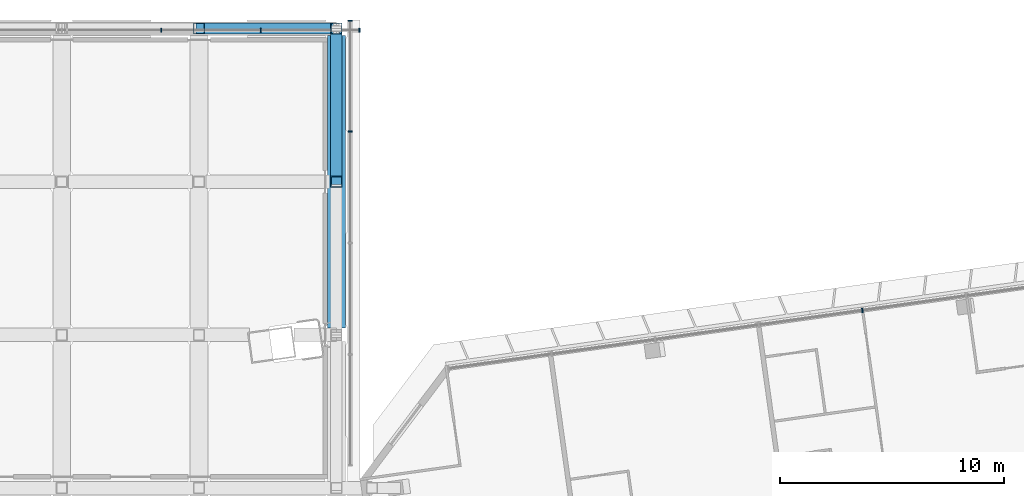
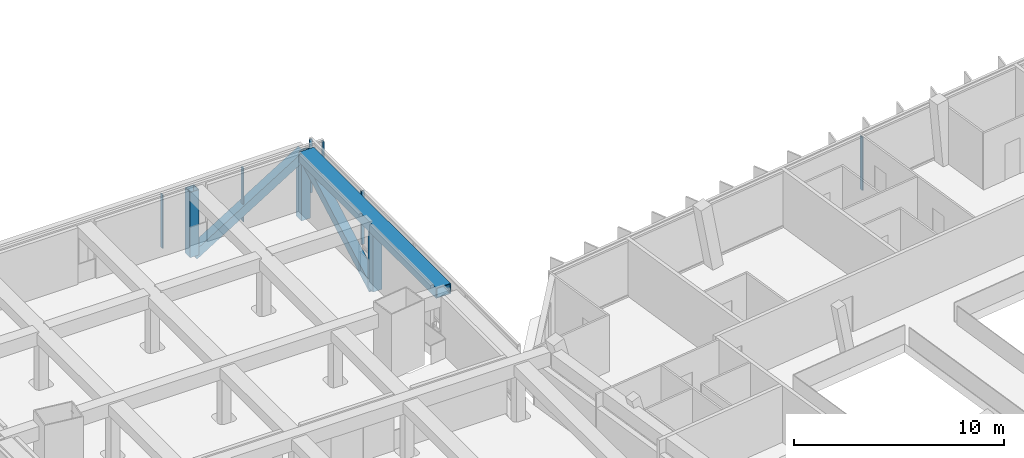
# One storey, part 11 of 28: 12 members, 3 elements without a shape of their own.
"""IFC4 building model written with IfcOpenShell, lengths in metres."""

from ifc_helpers import new_model, si_unit, direction, frame, origin, origin_2d, place, context, subcontext, project, spatial, rectangle, hollow_rectangle, extrude, material, material_profile, profile_set, type_object, element, aggregate, save


model = new_model("IFC4")

# Units and contexts
model_context = context("Model", 3, precision=1e-05, world=origin(), true_north=direction((0.0, 1.0)))
body_context = subcontext(model_context, "Body", "Model", "MODEL_VIEW")
ifc_project = project(units=[si_unit("LENGTHUNIT", "METRE"), si_unit("AREAUNIT", "SQUARE_METRE"), si_unit("VOLUMEUNIT", "CUBIC_METRE"), si_unit("PLANEANGLEUNIT", "RADIAN"), si_unit("MASSUNIT", "GRAM", prefix="KILO")], contexts=[model_context])

# Site, building, storey
site_placement = place(None, origin())
site = spatial("IfcSite", under=ifc_project, at=site_placement, CompositionType="ELEMENT")
building_placement = place(site_placement, origin())
building = spatial("IfcBuilding", under=site, at=building_placement, Name="Mirante Cascada Hotel Towers", CompositionType="ELEMENT")
storey_placement = place(building_placement, frame((0.0, 0.0, 262.2)))
storey = spatial("IfcBuildingStorey", under=building, at=storey_placement, Name="L63", CompositionType="ELEMENT", Elevation=262.2)

# Members
ifc_material_1 = material(Name="Steel ASTM A572 Gr 50", Category="steel")
ifc_material_profile_1 = material_profile(ifc_material_1, hollow_rectangle(XDim=0.6, YDim=0.8, WallThickness=0.04, at=origin_2d()), Name="Box chord 800x600x40 ASTM A572 Gr 50")
ifc_profile_set_1 = profile_set([ifc_material_profile_1], Name="Steel ASTM A572 Gr 50")
member_type_1 = type_object("IfcMemberType", Name="Box chord 800x600x40 ASTM A572 Gr 50", PredefinedType="CHORD", material=ifc_profile_set_1)
member_1_placement = place(storey_placement, frame((12.2514, 17.0475, 2.9), z_axis=(0.0, 1.0, 0.0), x_axis=(0.0, 0.0, 1.0)))
element("IfcMember", 1, at=member_1_placement, inside=storey, type_object=member_type_1, Name="dchord sky park L64 20", PredefinedType="CHORD", context=body_context, shape_type="SweptSolid", body=[
    extrude(hollow_rectangle(XDim=0.6, YDim=0.8, WallThickness=0.04, at=origin_2d()), origin(), (0.0, 0.0, 1.0), 13.0667),
])
ifc_material_2 = material(Name="Steel ASTM A572 Gr 50", Category="steel")
ifc_material_profile_2 = material_profile(ifc_material_2, hollow_rectangle(XDim=0.5, YDim=0.5, WallThickness=0.03, at=origin_2d()), Name="Box diagonal 500x500x30 ASTM A572 Gr 50")
ifc_profile_set_2 = profile_set([ifc_material_profile_2], Name="Steel ASTM A572 Gr 50")
member_type_2 = type_object("IfcMemberType", Name="Box diagonal 500x500x30 ASTM A572 Gr 50", PredefinedType="BRACE", material=ifc_profile_set_2)
member_2_placement = place(storey_placement, frame((12.2514, 23.5808, -0.9), z_axis=(0.0, 0.8739581, 0.4860012), x_axis=(-1.0, 0.0, 0.0)))
element("IfcMember", 2, at=member_2_placement, inside=storey, type_object=member_type_2, Name="ddiag sky park L63 10", PredefinedType="BRACE", context=body_context, shape_type="SweptSolid", body=[
    extrude(hollow_rectangle(XDim=0.5, YDim=0.5, WallThickness=0.03, at=origin_2d()), origin(), (0.0, 0.0, 1.0), 7.8189),
])
member_3_placement = place(storey_placement, frame((6.1257, 30.4142, -0.9), z_axis=(0.8497743, 0.0, 0.5271467), x_axis=(0.0, 1.0, 0.0)))
element("IfcMember", 3, at=member_3_placement, inside=storey, type_object=member_type_2, Name="ddiag sky park L63 14", PredefinedType="BRACE", context=body_context, shape_type="SweptSolid", body=[
    extrude(hollow_rectangle(XDim=0.5, YDim=0.5, WallThickness=0.03, at=origin_2d()), origin(), (0.0, 0.0, 1.0), 7.2086),
])
ifc_material_3 = material(Name="Steel ASTM A572 Gr 50", Category="steel")
ifc_material_profile_3 = material_profile(ifc_material_3, hollow_rectangle(XDim=0.5, YDim=0.5, WallThickness=0.03, at=origin_2d()), Name="Box post 500x500x30 ASTM A572 Gr 50")
ifc_profile_set_3 = profile_set([ifc_material_profile_3], Name="Steel ASTM A572 Gr 50")
member_type_3 = type_object("IfcMemberType", Name="Box post 500x500x30 ASTM A572 Gr 50", PredefinedType="POST", material=ifc_profile_set_3)
for number, where, z_axis, x_axis, name in (
    (4, (6.1257, 30.4142, -0.9), (0.0, 0.0, 1.0), (1.0, 0.0, 0.0), "dpost sky park L63 28"),
    (5, (12.2514, 23.5808, -0.9), (0.0, 0.0, 1.0), (1.0, 0.0, 0.0), "dpost sky park L63 34"),
    (6, (12.2514, 30.4142, -0.9), (0.0, 0.0, 1.0), (1.0, 0.0, 0.0), "dpost sky park L63 35"),
):
    element("IfcMember", number, at=place(storey_placement, frame(where, z_axis=z_axis, x_axis=x_axis)), inside=storey, type_object=member_type_3, Name=name, PredefinedType="POST", context=body_context, shape_type="SweptSolid", body=[
        extrude(hollow_rectangle(XDim=0.5, YDim=0.5, WallThickness=0.03, at=origin_2d()), origin(), (0.0, 0.0, 1.0), 3.8),
    ])

# Curtain wall, member
ifc_material_4 = material(Name="Aluminium mullion and transom frame with clear laminated glass", Category="aluminium")
curtain_wall_type_1 = type_object("IfcCurtainWallType", Name="Ribbon curtain wall ECW1", PredefinedType="NOTDEFINED", material=ifc_material_4)
curtain_wall_1_placement = place(storey_placement, origin())
curtain_wall_1 = element("IfcCurtainWall", 7, at=curtain_wall_1_placement, inside=storey, type_object=curtain_wall_type_1, Name="Front ribbon wall T2 L63", PredefinedType="NOTDEFINED")
ifc_material_5 = material(Name="Anodised aluminium extrusion", Category="aluminium")
ifc_material_profile_4 = material_profile(ifc_material_5, rectangle(XDim=0.2, YDim=0.065, at=origin_2d()), Name="ECW1 MULLION 65x200")
ifc_profile_set_4 = profile_set([ifc_material_profile_4], Name="Anodised aluminium extrusion")
member_type_4 = type_object("IfcMemberType", Name="ECW1 mullion 65x200", PredefinedType="MULLION", material=ifc_profile_set_4)
member_4_placement = place(storey_placement, frame((35.7234, 17.8396, 0.1), z_axis=(0.0, 0.0, 1.0), x_axis=(0.1391731, -0.9902681, 0.0)))
member_4 = element("IfcMember", 8, at=member_4_placement, type_object=member_type_4, Name="ECW1 mullion 4", PredefinedType="MULLION", context=body_context, shape_type="SweptSolid", body=[
    extrude(rectangle(XDim=0.2, YDim=0.065, at=origin_2d()), origin(), (0.0, 0.0, 1.0), 3.1),
])
aggregate(curtain_wall_1, [member_4])

# Curtain wall, members
ifc_material_6 = material(Name="Aluminium mullion and transom frame with clear laminated glass", Category="aluminium")
curtain_wall_type_2 = type_object("IfcCurtainWallType", Name="Sky park deck curtain wall ECW5", PredefinedType="NOTDEFINED", material=ifc_material_6)
curtain_wall_2_placement = place(storey_placement, origin())
curtain_wall_2 = element("IfcCurtainWall", 9, at=curtain_wall_2_placement, inside=storey, type_object=curtain_wall_type_2, Name="Sky park glazing L63 run 2", PredefinedType="NOTDEFINED")
ifc_material_7 = material(Name="Anodised aluminium extrusion", Category="aluminium")
ifc_material_profile_5 = material_profile(ifc_material_7, rectangle(XDim=0.18, YDim=0.06, at=origin_2d()), Name="ECW5 MULLION 60x180")
ifc_profile_set_5 = profile_set([ifc_material_profile_5], Name="Anodised aluminium extrusion")
member_type_5 = type_object("IfcMemberType", Name="ECW5 mullion 60x180", PredefinedType="MULLION", material=ifc_profile_set_5)
member_5_placement = place(storey_placement, frame((12.8642, 25.8225, 0.09), z_axis=(0.0, 0.0, 1.0), x_axis=(-1.0, 0.0, 0.0)))
member_5 = element("IfcMember", 10, at=member_5_placement, type_object=member_type_5, Name="ECW5 mullion 4", PredefinedType="MULLION", context=body_context, shape_type="SweptSolid", body=[
    extrude(rectangle(XDim=0.18, YDim=0.06, at=origin_2d()), origin(), (0.0, 0.0, 1.0), 3.12),
])
member_6_placement = place(storey_placement, frame((12.8642, 30.7675, 0.09), z_axis=(0.0, 0.0, 1.0), x_axis=(-1.0, 0.0, 0.0)))
member_6 = element("IfcMember", 11, at=member_6_placement, type_object=member_type_5, Name="ECW5 mullion 5", PredefinedType="MULLION", context=body_context, shape_type="SweptSolid", body=[
    extrude(rectangle(XDim=0.18, YDim=0.06, at=origin_2d()), origin(), (0.0, 0.0, 1.0), 3.12),
])
aggregate(curtain_wall_2, [member_5, member_6])

curtain_wall_3_placement = place(storey_placement, origin())
curtain_wall_3 = element("IfcCurtainWall", 12, at=curtain_wall_3_placement, inside=storey, type_object=curtain_wall_type_2, Name="Sky park glazing L63 run 3", PredefinedType="NOTDEFINED")
member_7_placement = place(storey_placement, frame((13.2842, 30.3475, 0.09), z_axis=(0.0, 0.0, 1.0), x_axis=(0.0, -1.0, 0.0)))
member_7 = element("IfcMember", 13, at=member_7_placement, type_object=member_type_5, Name="ECW5 mullion 1", PredefinedType="MULLION", context=body_context, shape_type="SweptSolid", body=[
    extrude(rectangle(XDim=0.18, YDim=0.06, at=origin_2d()), origin(), (0.0, 0.0, 1.0), 3.12),
])
member_8_placement = place(storey_placement, frame((8.8761, 30.3475, 0.09), z_axis=(0.0, 0.0, 1.0), x_axis=(0.0, -1.0, 0.0)))
member_8 = element("IfcMember", 14, at=member_8_placement, type_object=member_type_5, Name="ECW5 mullion 2", PredefinedType="MULLION", context=body_context, shape_type="SweptSolid", body=[
    extrude(rectangle(XDim=0.18, YDim=0.06, at=origin_2d()), origin(), (0.0, 0.0, 1.0), 3.12),
])
member_9_placement = place(storey_placement, frame((4.4381, 30.3475, 0.09), z_axis=(0.0, 0.0, 1.0), x_axis=(0.0, -1.0, 0.0)))
member_9 = element("IfcMember", 15, at=member_9_placement, type_object=member_type_5, Name="ECW5 mullion 3", PredefinedType="MULLION", context=body_context, shape_type="SweptSolid", body=[
    extrude(rectangle(XDim=0.18, YDim=0.06, at=origin_2d()), origin(), (0.0, 0.0, 1.0), 3.12),
])
aggregate(curtain_wall_3, [member_7, member_8, member_9])

save(model, "model.ifc")
